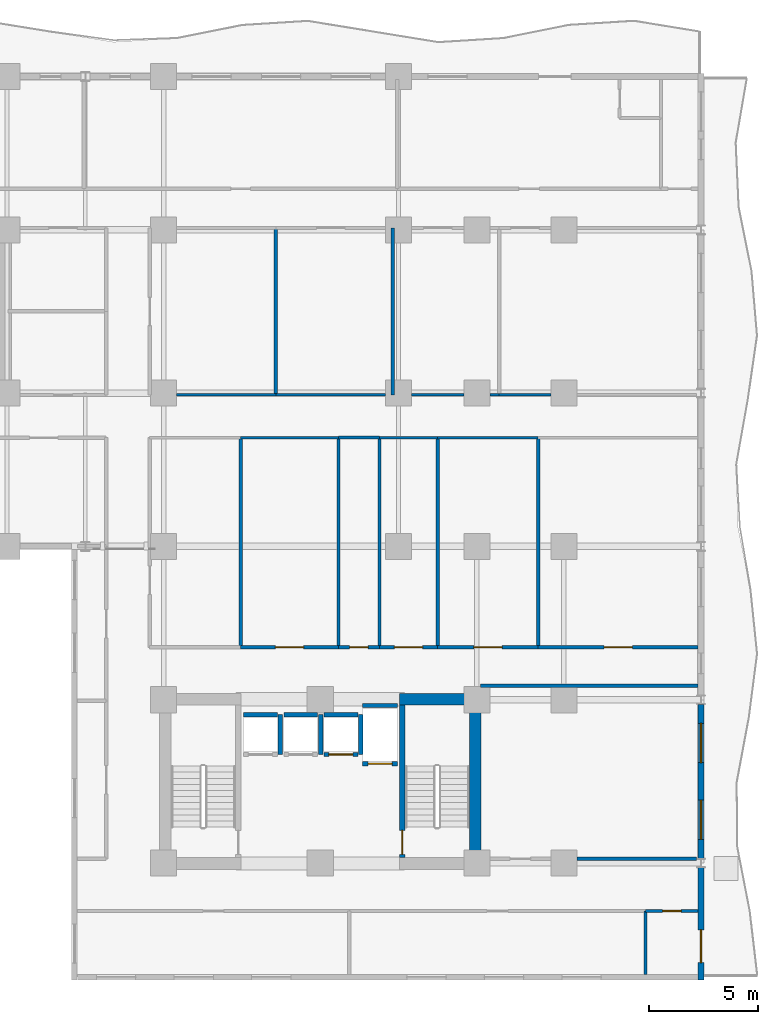
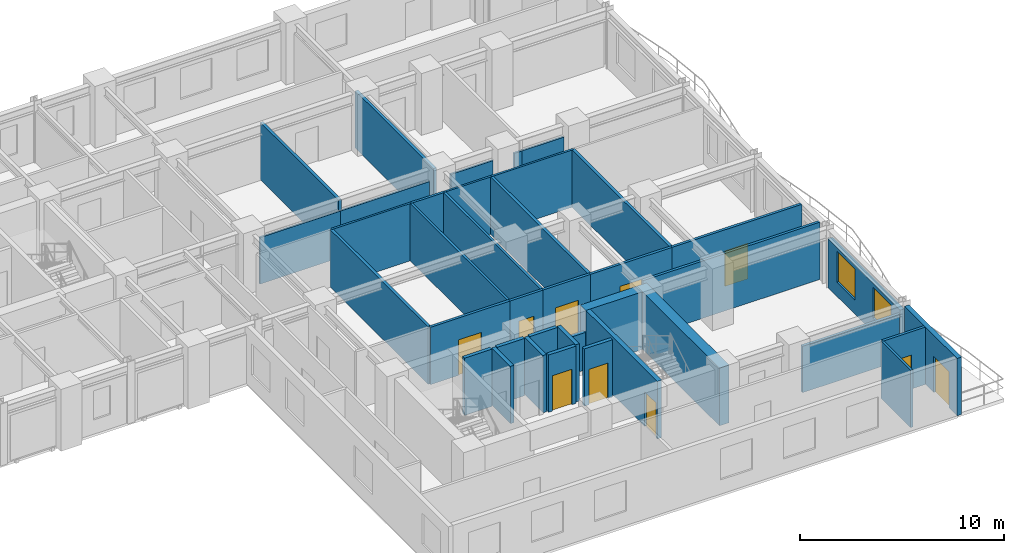
# One storey, part 5 of 11: 39 walls, 10 doors, 2 windows, 12 openings.
"""IFC4 building model written with IfcOpenShell, lengths in metres."""

from ifc_helpers import new_model, si_unit, direction, frame, frame_2d, origin, place, context, subcontext, project, spatial, rectangle, extrude, material, layer, layer_set, type_object, element, fill, save


model = new_model("IFC4")

# Units and contexts
model_context = context("Model", 3, precision=1e-05, world=origin(), true_north=direction((0.0, 1.0)))
body_context = subcontext(model_context, "Body", "Model", "MODEL_VIEW")
ifc_project = project(units=[si_unit("LENGTHUNIT", "METRE"), si_unit("AREAUNIT", "SQUARE_METRE"), si_unit("VOLUMEUNIT", "CUBIC_METRE"), si_unit("PLANEANGLEUNIT", "RADIAN"), si_unit("MASSUNIT", "GRAM", prefix="KILO")], contexts=[model_context])

# Site, building, storey
site_placement = place(None, origin())
site = spatial("IfcSite", under=ifc_project, at=site_placement, CompositionType="ELEMENT")
building_placement = place(site_placement, origin())
building = spatial("IfcBuilding", under=site, at=building_placement, Name="Kaliganga Portal Commons", CompositionType="ELEMENT")
storey_placement = place(building_placement, frame((0.0, 0.0, 89.699951171875)))
storey = spatial("IfcBuildingStorey", under=building, at=storey_placement, Name="L22", CompositionType="ELEMENT", Elevation=89.699951171875)

# Walls
ifc_material_1 = material(Name="Concrete C60/75", Category="concrete")
ifc_layer_1 = layer(ifc_material_1, 0.550048828125)
ifc_layer_set_1 = layer_set([ifc_layer_1], Name="Concrete C60/75")
wall_type_1 = type_object("IfcWallType", Name="WL-CORE-550", PredefinedType="SHEAR", material=ifc_layer_set_1)
wall_1_placement = place(storey_placement, frame((50.324951171875, 6.75, 0.0), z_axis=(0.0, 0.0, 1.0), x_axis=(0.0, 1.0, 0.0)))
element("IfcWall", 1, at=wall_1_placement, inside=storey, type_object=wall_type_1, Name="Core B East Shear Wall L22", PredefinedType="SHEAR", context=body_context, shape_type="SweptSolid", body=[
    extrude(rectangle(XDim=8.10009765625, YDim=0.550048828125, at=frame_2d((4.050048828125, 0.0))), origin(), (0.0, 0.0, 1.0), 3.449951171875),
])
wall_2_placement = place(storey_placement, frame((46.85009765625, 14.574951171875, 0.0), z_axis=(0.0, 0.0, 1.0), x_axis=(1.0, 0.0, 0.0)))
element("IfcWall", 2, at=wall_2_placement, inside=storey, type_object=wall_type_1, Name="Core B N-East Shear Wall L22", PredefinedType="SHEAR", context=body_context, shape_type="SweptSolid", body=[
    extrude(rectangle(XDim=3.199951171875, YDim=0.550048828125, at=frame_2d((1.60009765625, 0.0))), origin(), (0.0, 0.0, 1.0), 3.449951171875),
])

# Wall, opening, door
ifc_material_2 = material(Name="Insulated Aluminium-Clad Spandrel Assembly", Category="aluminium")
ifc_layer_2 = layer(ifc_material_2, 0.260009765625)
ifc_layer_set_2 = layer_set([ifc_layer_2], Name="Insulated Aluminium-Clad Spandrel Assembly")
wall_type_2 = type_object("IfcWallType", Name="WL-EXT-SPAND-260", PredefinedType="STANDARD", material=ifc_layer_set_2)
wall_3_placement = place(storey_placement, frame((60.699951171875, 6.833984375, 0.0), z_axis=(0.0, 0.0, 1.0), x_axis=(0.0, -1.0, 0.0)))
wall_3 = element("IfcWall", 3, at=wall_3_placement, inside=storey, type_object=wall_type_2, Name="Exterior Envelope Wall L22 P1-E01-S1", PredefinedType="STANDARD", context=body_context, shape_type="SweptSolid", body=[
    extrude(rectangle(XDim=5.1640625, YDim=0.260009765625, at=frame_2d((2.58203125, 0.0))), origin(), (0.0, 0.0, 1.0), 3.429931640625),
])
opening_1_placement = place(wall_3_placement, frame((2.864990234375, 0.0, 0.0)))
opening_1 = element("IfcOpeningElement", 4, at=opening_1_placement, cuts=wall_3, Name="Opening BD-01", PredefinedType="OPENING", context=body_context, shape_type="SweptSolid", body=[
    extrude(rectangle(XDim=1.5, YDim=2.14990234375, at=frame_2d((0.75, 1.074951171875))), frame((0.0, 0.14013671875, 0.0), z_axis=(0.0, -1.0, 0.0), x_axis=(1.0, 0.0, 0.0)), (0.0, 0.0, 1.0), 0.280029296875),
])
ifc_material_3 = material(Name="Anodized Aluminium and Laminated Safety Glass", Category="aluminium")
door_type_1 = type_object("IfcDoorType", Name="DR-BALC-1500", OperationType="SLIDING_TO_LEFT", PredefinedType="DOOR", material=ifc_material_3)
door_1_placement = place(opening_1_placement, origin())
door_1 = element("IfcDoor", 5, at=door_1_placement, inside=storey, type_object=door_type_1, Name="Balcony Sliding Door L22 balc_east", OperationType="SLIDING_TO_LEFT", OverallHeight=2.14990234375, OverallWidth=1.5, PredefinedType="DOOR", context=body_context, shape_type="SweptSolid", body=[
    extrude(rectangle(XDim=1.5, YDim=2.14990234375, at=frame_2d((0.75, 1.074951171875))), frame((0.0, 0.02490234375, 0.0), z_axis=(0.0, -1.0, 0.0), x_axis=(1.0, 0.0, 0.0)), (0.0, 0.0, 1.0), 0.050048828125),
])
fill(opening_1, door_1)

# Wall, openings, windows
wall_4_placement = place(storey_placement, frame((60.699951171875, 14.333984375, 0.0), z_axis=(0.0, 0.0, 1.0), x_axis=(0.0, -1.0, 0.0)))
wall_4 = element("IfcWall", 6, at=wall_4_placement, inside=storey, type_object=wall_type_2, Name="Exterior Envelope Wall L22 P1-E01-S2", PredefinedType="STANDARD", context=body_context, shape_type="SweptSolid", body=[
    extrude(rectangle(XDim=7.06787109375, YDim=0.260009765625, at=frame_2d((3.533935546875, 0.0))), origin(), (0.0, 0.0, 1.0), 2.929931640625),
])
opening_2_placement = place(wall_4_placement, frame((0.866943359375, 0.0, 0.85009765625)))
opening_2 = element("IfcOpeningElement", 7, at=opening_2_placement, cuts=wall_4, Name="Opening W-01", PredefinedType="OPENING", context=body_context, shape_type="SweptSolid", body=[
    extrude(rectangle(XDim=1.800048828125, YDim=1.85009765625, at=frame_2d((0.89990234375, 0.925048828125))), frame((0.0, 0.14013671875, 0.0), z_axis=(0.0, -1.0, 0.0), x_axis=(1.0, 0.0, 0.0)), (0.0, 0.0, 1.0), 0.280029296875),
])
opening_3_placement = place(wall_4_placement, frame((4.40087890625, 0.0, 0.85009765625)))
opening_3 = element("IfcOpeningElement", 8, at=opening_3_placement, cuts=wall_4, Name="Opening W-01", PredefinedType="OPENING", context=body_context, shape_type="SweptSolid", body=[
    extrude(rectangle(XDim=1.800048828125, YDim=1.85009765625, at=frame_2d((0.89990234375, 0.925048828125))), frame((0.0, 0.14013671875, 0.0), z_axis=(0.0, -1.0, 0.0), x_axis=(1.0, 0.0, 0.0)), (0.0, 0.0, 1.0), 0.280029296875),
])
ifc_material_4 = material(Name="Thermally Broken Aluminium and Low-E Double Glazing", Category="aluminium")
window_type = type_object("IfcWindowType", Name="WIN-STD-1800", PartitioningType="DOUBLE_PANEL_VERTICAL", PredefinedType="WINDOW", material=ifc_material_4)
window_1_placement = place(opening_2_placement, origin())
window_1 = element("IfcWindow", 9, at=window_1_placement, inside=storey, type_object=window_type, Name="Facade Window L22-P1E01S2-00", OverallHeight=1.85009765625, OverallWidth=1.800048828125, PartitioningType="SINGLE_PANEL", PredefinedType="WINDOW", context=body_context, shape_type="SweptSolid", body=[
    extrude(rectangle(XDim=1.800048828125, YDim=1.85009765625, at=frame_2d((0.89990234375, 0.925048828125))), frame((0.0, 0.030029296875, 0.0), z_axis=(0.0, -1.0, 0.0), x_axis=(1.0, 0.0, 0.0)), (0.0, 0.0, 1.0), 0.06005859375),
])
fill(opening_2, window_1)
window_2_placement = place(opening_3_placement, origin())
window_2 = element("IfcWindow", 10, at=window_2_placement, inside=storey, type_object=window_type, Name="Facade Window L22-P1E01S2-01", OverallHeight=1.85009765625, OverallWidth=1.800048828125, PartitioningType="SINGLE_PANEL", PredefinedType="WINDOW", context=body_context, shape_type="SweptSolid", body=[
    extrude(rectangle(XDim=1.800048828125, YDim=1.85009765625, at=frame_2d((0.89990234375, 0.925048828125))), frame((0.0, 0.030029296875, 0.0), z_axis=(0.0, -1.0, 0.0), x_axis=(1.0, 0.0, 0.0)), (0.0, 0.0, 1.0), 0.06005859375),
])
fill(opening_3, window_2)

# Walls
ifc_material_5 = material(Name="Fire-Rated Gypsum Board on Steel Stud", Category="steel")
ifc_layer_3 = layer(ifc_material_5, 0.14990234375)
ifc_layer_set_3 = layer_set([ifc_layer_3], Name="Fire-Rated Gypsum Board on Steel Stud")
wall_type_3 = type_object("IfcWallType", Name="WL-PART-CORR-150", PredefinedType="PARTITIONING", material=ifc_layer_set_3)
wall_5_placement = place(storey_placement, frame((55.0, 7.239990234375, 0.0), z_axis=(0.0, 0.0, 1.0), x_axis=(1.0, 0.0, 0.0)))
element("IfcWall", 11, at=wall_5_placement, inside=storey, type_object=wall_type_3, Name="Interior Partition L22-009", PredefinedType="PARTITIONING", context=body_context, shape_type="SweptSolid", body=[
    extrude(rectangle(XDim=5.49560546875, YDim=0.14990234375, at=frame_2d((2.747802734375, 0.0))), origin(), (0.0, 0.0, 1.0), 2.780029296875),
])
wall_6_placement = place(storey_placement, frame((50.56005859375, 15.199951171875, 0.0), z_axis=(0.0, 0.0, 1.0), x_axis=(1.0, 0.0, 0.0)))
element("IfcWall", 12, at=wall_6_placement, inside=storey, type_object=wall_type_3, Name="Interior Partition L22-010", PredefinedType="PARTITIONING", context=body_context, shape_type="SweptSolid", body=[
    extrude(rectangle(XDim=10.008056640625, YDim=0.14990234375, at=frame_2d((5.00390625, 0.0))), origin(), (0.0, 0.0, 1.0), 3.429931640625),
])

# Wall, opening, door
wall_7_placement = place(storey_placement, frame((53.219970703125, 16.9599609375, 0.0), z_axis=(0.0, 0.0, 1.0), x_axis=(1.0, 0.0, 0.0)))
wall_7 = element("IfcWall", 13, at=wall_7_placement, inside=storey, type_object=wall_type_3, Name="Interior Partition L22-017", PredefinedType="PARTITIONING", context=body_context, shape_type="SweptSolid", body=[
    extrude(rectangle(XDim=7.34814453125, YDim=0.14990234375, at=frame_2d((3.674072265625, 0.0))), origin(), (0.0, 0.0, 1.0), 3.429931640625),
])
opening_4_placement = place(wall_7_placement, frame((3.02392578125, 0.0, 0.0)))
opening_4 = element("IfcOpeningElement", 14, at=opening_4_placement, cuts=wall_7, Name="Opening RD-03", PredefinedType="OPENING", context=body_context, shape_type="SweptSolid", body=[
    extrude(rectangle(XDim=1.300048828125, YDim=2.1201171875, at=frame_2d((0.64990234375, 1.06005859375))), frame((0.0, 0.0849609375, 0.0), z_axis=(0.0, -1.0, 0.0), x_axis=(1.0, 0.0, 0.0)), (0.0, 0.0, 1.0), 0.169921875),
])
ifc_material_6 = material(Name="Glazed Timber Seminar Vision Door", Category="wood")
door_type_2 = type_object("IfcDoorType", Name="DR-STUDY-1300", OperationType="DOUBLE_DOOR_SINGLE_SWING", PredefinedType="DOOR", material=ifc_material_6)
door_2_placement = place(opening_4_placement, origin())
door_2 = element("IfcDoor", 15, at=door_2_placement, inside=storey, type_object=door_type_2, Name="Interior Door L22-BM05", OperationType="DOUBLE_DOOR_SINGLE_SWING", OverallHeight=2.1201171875, OverallWidth=1.300048828125, PredefinedType="DOOR", context=body_context, shape_type="SweptSolid", body=[
    extrude(rectangle(XDim=1.300048828125, YDim=2.1201171875, at=frame_2d((0.64990234375, 1.06005859375))), frame((0.0, 0.02490234375, 0.0), z_axis=(0.0, -1.0, 0.0), x_axis=(1.0, 0.0, 0.0)), (0.0, 0.0, 1.0), 0.050048828125),
])
fill(opening_4, door_2)

wall_8_placement = place(storey_placement, frame((48.60009765625, 16.9599609375, 0.0), z_axis=(0.0, 0.0, 1.0), x_axis=(1.0, 0.0, 0.0)))
wall_8 = element("IfcWall", 16, at=wall_8_placement, inside=storey, type_object=wall_type_3, Name="Interior Partition L22-028", PredefinedType="PARTITIONING", context=body_context, shape_type="SweptSolid", body=[
    extrude(rectangle(XDim=4.619873046875, YDim=0.14990234375, at=frame_2d((2.31005859375, 0.0))), origin(), (0.0, 0.0, 1.0), 3.429931640625),
])
opening_5_placement = place(wall_8_placement, frame((1.659912109375, 0.0, 0.0)))
opening_5 = element("IfcOpeningElement", 17, at=opening_5_placement, cuts=wall_8, Name="Opening RD-03", PredefinedType="OPENING", context=body_context, shape_type="SweptSolid", body=[
    extrude(rectangle(XDim=1.300048828125, YDim=2.1201171875, at=frame_2d((0.64990234375, 1.06005859375))), frame((0.0, 0.0849609375, 0.0), z_axis=(0.0, -1.0, 0.0), x_axis=(1.0, 0.0, 0.0)), (0.0, 0.0, 1.0), 0.169921875),
])
door_3_placement = place(opening_5_placement, origin())
door_3 = element("IfcDoor", 18, at=door_3_placement, inside=storey, type_object=door_type_2, Name="Interior Door L22-BM04B", OperationType="DOUBLE_DOOR_SINGLE_SWING", OverallHeight=2.1201171875, OverallWidth=1.300048828125, PredefinedType="DOOR", context=body_context, shape_type="SweptSolid", body=[
    extrude(rectangle(XDim=1.300048828125, YDim=2.1201171875, at=frame_2d((0.64990234375, 1.06005859375))), frame((0.0, 0.02490234375, 0.0), z_axis=(0.0, -1.0, 0.0), x_axis=(1.0, 0.0, 0.0)), (0.0, 0.0, 1.0), 0.050048828125),
])
fill(opening_5, door_3)

wall_9_placement = place(storey_placement, frame((39.5400390625, 16.9599609375, 0.0), z_axis=(0.0, 0.0, 1.0), x_axis=(1.0, 0.0, 0.0)))
wall_9 = element("IfcWall", 19, at=wall_9_placement, inside=storey, type_object=wall_type_3, Name="Interior Partition L22-031", PredefinedType="PARTITIONING", context=body_context, shape_type="SweptSolid", body=[
    extrude(rectangle(XDim=4.5, YDim=0.14990234375, at=frame_2d((2.25, 0.0))), origin(), (0.0, 0.0, 1.0), 3.429931640625),
])
opening_6_placement = place(wall_9_placement, frame((1.60009765625, 0.0, 0.0)))
opening_6 = element("IfcOpeningElement", 20, at=opening_6_placement, cuts=wall_9, Name="Opening RD-03", PredefinedType="OPENING", context=body_context, shape_type="SweptSolid", body=[
    extrude(rectangle(XDim=1.300048828125, YDim=2.1201171875, at=frame_2d((0.64990234375, 1.06005859375))), frame((0.0, 0.0849609375, 0.0), z_axis=(0.0, -1.0, 0.0), x_axis=(1.0, 0.0, 0.0)), (0.0, 0.0, 1.0), 0.169921875),
])
door_4_placement = place(opening_6_placement, origin())
door_4 = element("IfcDoor", 21, at=door_4_placement, inside=storey, type_object=door_type_2, Name="Interior Door L22-BM02", OperationType="DOUBLE_DOOR_SINGLE_SWING", OverallHeight=2.1201171875, OverallWidth=1.300048828125, PredefinedType="DOOR", context=body_context, shape_type="SweptSolid", body=[
    extrude(rectangle(XDim=1.300048828125, YDim=2.1201171875, at=frame_2d((0.64990234375, 1.06005859375))), frame((0.0, 0.02490234375, 0.0), z_axis=(0.0, -1.0, 0.0), x_axis=(1.0, 0.0, 0.0)), (0.0, 0.0, 1.0), 0.050048828125),
])
fill(opening_6, door_4)

wall_10_placement = place(storey_placement, frame((45.919921875, 16.9599609375, 0.0), z_axis=(0.0, 0.0, 1.0), x_axis=(1.0, 0.0, 0.0)))
wall_10 = element("IfcWall", 22, at=wall_10_placement, inside=storey, type_object=wall_type_3, Name="Interior Partition L22-037", PredefinedType="PARTITIONING", context=body_context, shape_type="SweptSolid", body=[
    extrude(rectangle(XDim=2.68017578125, YDim=0.14990234375, at=frame_2d((1.340087890625, 0.0))), origin(), (0.0, 0.0, 1.0), 3.429931640625),
])
opening_7_placement = place(wall_10_placement, frame((0.68994140625, 0.0, 0.0)))
opening_7 = element("IfcOpeningElement", 23, at=opening_7_placement, cuts=wall_10, Name="Opening RD-03", PredefinedType="OPENING", context=body_context, shape_type="SweptSolid", body=[
    extrude(rectangle(XDim=1.300048828125, YDim=2.1201171875, at=frame_2d((0.64990234375, 1.06005859375))), frame((0.0, 0.0849609375, 0.0), z_axis=(0.0, -1.0, 0.0), x_axis=(1.0, 0.0, 0.0)), (0.0, 0.0, 1.0), 0.169921875),
])
door_5_placement = place(opening_7_placement, origin())
door_5 = element("IfcDoor", 24, at=door_5_placement, inside=storey, type_object=door_type_2, Name="Interior Door L22-BM04", OperationType="DOUBLE_DOOR_SINGLE_SWING", OverallHeight=2.1201171875, OverallWidth=1.300048828125, PredefinedType="DOOR", context=body_context, shape_type="SweptSolid", body=[
    extrude(rectangle(XDim=1.300048828125, YDim=2.1201171875, at=frame_2d((0.64990234375, 1.06005859375))), frame((0.0, 0.02490234375, 0.0), z_axis=(0.0, -1.0, 0.0), x_axis=(1.0, 0.0, 0.0)), (0.0, 0.0, 1.0), 0.050048828125),
])
fill(opening_7, door_5)

wall_11_placement = place(storey_placement, frame((58.159912109375, 4.840087890625, 0.0), z_axis=(0.0, 0.0, 1.0), x_axis=(1.0, 0.0, 0.0)))
wall_11 = element("IfcWall", 25, at=wall_11_placement, inside=storey, type_object=wall_type_3, Name="Interior Partition L22-041", PredefinedType="PARTITIONING", context=body_context, shape_type="SweptSolid", body=[
    extrude(rectangle(XDim=2.408203125, YDim=0.14990234375, at=frame_2d((1.2041015625, 0.0))), origin(), (0.0, 0.0, 1.0), 3.429931640625),
])
opening_8_placement = place(wall_11_placement, frame((0.779052734375, 0.0, 0.0)))
opening_8 = element("IfcOpeningElement", 26, at=opening_8_placement, cuts=wall_11, Name="Opening WD-01", PredefinedType="OPENING", context=body_context, shape_type="SweptSolid", body=[
    extrude(rectangle(XDim=0.85009765625, YDim=2.0400390625, at=frame_2d((0.425048828125, 1.02001953125))), frame((0.0, 0.0849609375, 0.0), z_axis=(0.0, -1.0, 0.0), x_axis=(1.0, 0.0, 0.0)), (0.0, 0.0, 1.0), 0.169921875),
])
ifc_material_7 = material(Name="Moisture-Resistant Laminate Timber Door", Category="wood")
door_type_3 = type_object("IfcDoorType", Name="DR-WET-850", OperationType="NOTDEFINED", PredefinedType="DOOR", material=ifc_material_7)
door_6_placement = place(opening_8_placement, origin())
door_6 = element("IfcDoor", 27, at=door_6_placement, inside=storey, type_object=door_type_3, Name="Interior Door L22-BS03", OperationType="SINGLE_SWING_RIGHT", OverallHeight=2.0400390625, OverallWidth=0.85009765625, PredefinedType="DOOR", context=body_context, shape_type="SweptSolid", body=[
    extrude(rectangle(XDim=0.85009765625, YDim=2.0400390625, at=frame_2d((0.425048828125, 1.02001953125))), frame((0.0, 0.02490234375, 0.0), z_axis=(0.0, -1.0, 0.0), x_axis=(1.0, 0.0, 0.0)), (0.0, 0.0, 1.0), 0.050048828125),
])
fill(opening_8, door_6)

wall_12_placement = place(storey_placement, frame((44.0400390625, 16.9599609375, 0.0), z_axis=(0.0, 0.0, 1.0), x_axis=(1.0, 0.0, 0.0)))
wall_12 = element("IfcWall", 28, at=wall_12_placement, inside=storey, type_object=wall_type_3, Name="Interior Partition L22-044", PredefinedType="PARTITIONING", context=body_context, shape_type="SweptSolid", body=[
    extrude(rectangle(XDim=1.8798828125, YDim=0.14990234375, at=frame_2d((0.93994140625, 0.0))), origin(), (0.0, 0.0, 1.0), 3.429931640625),
])
opening_9_placement = place(wall_12_placement, frame((0.514892578125, 0.0, 0.0)))
opening_9 = element("IfcOpeningElement", 29, at=opening_9_placement, cuts=wall_12, Name="Opening WD-01", PredefinedType="OPENING", context=body_context, shape_type="SweptSolid", body=[
    extrude(rectangle(XDim=0.85009765625, YDim=2.0400390625, at=frame_2d((0.425048828125, 1.02001953125))), frame((0.0, 0.0849609375, 0.0), z_axis=(0.0, -1.0, 0.0), x_axis=(1.0, 0.0, 0.0)), (0.0, 0.0, 1.0), 0.169921875),
])
door_7_placement = place(opening_9_placement, origin())
door_7 = element("IfcDoor", 30, at=door_7_placement, inside=storey, type_object=door_type_3, Name="Interior Door L22-BM03", OperationType="SINGLE_SWING_LEFT", OverallHeight=2.0400390625, OverallWidth=0.85009765625, PredefinedType="DOOR", context=body_context, shape_type="SweptSolid", body=[
    extrude(rectangle(XDim=0.85009765625, YDim=2.0400390625, at=frame_2d((0.425048828125, 1.02001953125))), frame((0.0, 0.02490234375, 0.0), z_axis=(0.0, -1.0, 0.0), x_axis=(1.0, 0.0, 0.0)), (0.0, 0.0, 1.0), 0.050048828125),
])
fill(opening_9, door_7)

# Walls
ifc_material_8 = material(Name="Moisture-Resistant Gypsum Partition", Category="gypsum")
ifc_layer_4 = layer(ifc_material_8, 0.114990234375)
ifc_layer_set_4 = layer_set([ifc_layer_4], Name="Moisture-Resistant Gypsum Partition")
wall_type_4 = type_object("IfcWallType", Name="WL-PART-ROOM-115", PredefinedType="PARTITIONING", material=ifc_layer_set_4)
wall_13_placement = place(storey_placement, frame((51.419921875, 28.56005859375, 0.0), z_axis=(0.0, 0.0, 1.0), x_axis=(1.0, 0.0, 0.0)))
element("IfcWall", 31, at=wall_13_placement, inside=storey, type_object=wall_type_4, Name="Interior Partition L22-052", PredefinedType="PARTITIONING", context=body_context, shape_type="SweptSolid", body=[
    extrude(rectangle(XDim=2.380126953125, YDim=0.114990234375, at=frame_2d((1.18994140625, 0.0))), origin(), (0.0, 0.0, 1.0), 2.780029296875),
])
wall_14_placement = place(storey_placement, frame((36.60009765625, 28.56005859375, 0.0), z_axis=(0.0, 0.0, 1.0), x_axis=(1.0, 0.0, 0.0)))
element("IfcWall", 32, at=wall_14_placement, inside=storey, type_object=wall_type_4, Name="Interior Partition L22-058", PredefinedType="PARTITIONING", context=body_context, shape_type="SweptSolid", body=[
    extrude(rectangle(XDim=4.559814453125, YDim=0.114990234375, at=frame_2d((2.27978515625, 0.0))), origin(), (0.0, 0.0, 1.0), 2.780029296875),
])
wall_15_placement = place(storey_placement, frame((41.159912109375, 28.56005859375, 0.0), z_axis=(0.0, 0.0, 1.0), x_axis=(1.0, 0.0, 0.0)))
element("IfcWall", 33, at=wall_15_placement, inside=storey, type_object=wall_type_4, Name="Interior Partition L22-059", PredefinedType="PARTITIONING", context=body_context, shape_type="SweptSolid", body=[
    extrude(rectangle(XDim=5.0400390625, YDim=0.114990234375, at=frame_2d((2.52001953125, 0.0))), origin(), (0.0, 0.0, 1.0), 2.780029296875),
])
wall_16_placement = place(storey_placement, frame((47.39990234375, 28.56005859375, 0.0), z_axis=(0.0, 0.0, 1.0), x_axis=(1.0, 0.0, 0.0)))
element("IfcWall", 34, at=wall_16_placement, inside=storey, type_object=wall_type_4, Name="Interior Partition L22-069", PredefinedType="PARTITIONING", context=body_context, shape_type="SweptSolid", body=[
    extrude(rectangle(XDim=2.400146484375, YDim=0.114990234375, at=frame_2d((1.2001953125, 0.0))), origin(), (0.0, 0.0, 1.0), 2.780029296875),
])
wall_17_placement = place(storey_placement, frame((51.0, 28.56005859375, 0.0), z_axis=(0.0, 0.0, 1.0), x_axis=(1.0, 0.0, 0.0)))
element("IfcWall", 35, at=wall_17_placement, inside=storey, type_object=wall_type_4, Name="Interior Partition L22-070", PredefinedType="PARTITIONING", context=body_context, shape_type="SweptSolid", body=[
    extrude(rectangle(XDim=0.419921875, YDim=0.114990234375, at=frame_2d((0.2099609375, 0.0))), origin(), (0.0, 0.0, 1.0), 2.780029296875),
])
wall_18_placement = place(storey_placement, frame((48.60009765625, 26.60009765625, 0.0), z_axis=(0.0, 0.0, 1.0), x_axis=(1.0, 0.0, 0.0)))
element("IfcWall", 36, at=wall_18_placement, inside=storey, type_object=wall_type_4, Name="Interior Partition L22-071", PredefinedType="PARTITIONING", context=body_context, shape_type="SweptSolid", body=[
    extrude(rectangle(XDim=4.619873046875, YDim=0.114990234375, at=frame_2d((2.31005859375, 0.0))), origin(), (0.0, 0.0, 1.0), 3.429931640625),
])
wall_19_placement = place(storey_placement, frame((39.5400390625, 26.60009765625, 0.0), z_axis=(0.0, 0.0, 1.0), x_axis=(1.0, 0.0, 0.0)))
element("IfcWall", 37, at=wall_19_placement, inside=storey, type_object=wall_type_4, Name="Interior Partition L22-074", PredefinedType="PARTITIONING", context=body_context, shape_type="SweptSolid", body=[
    extrude(rectangle(XDim=4.5, YDim=0.114990234375, at=frame_2d((2.25, 0.0))), origin(), (0.0, 0.0, 1.0), 3.429931640625),
])
wall_20_placement = place(storey_placement, frame((45.919921875, 26.60009765625, 0.0), z_axis=(0.0, 0.0, 1.0), x_axis=(1.0, 0.0, 0.0)))
element("IfcWall", 38, at=wall_20_placement, inside=storey, type_object=wall_type_4, Name="Interior Partition L22-080", PredefinedType="PARTITIONING", context=body_context, shape_type="SweptSolid", body=[
    extrude(rectangle(XDim=2.68017578125, YDim=0.114990234375, at=frame_2d((1.340087890625, 0.0))), origin(), (0.0, 0.0, 1.0), 3.429931640625),
])
ifc_material_9 = material(Name="Twin-Stud Acoustic Gypsum Partition", Category="gypsum")
ifc_layer_5 = layer(ifc_material_9, 0.1650390625)
ifc_layer_set_5 = layer_set([ifc_layer_5], Name="Twin-Stud Acoustic Gypsum Partition")
wall_type_5 = type_object("IfcWallType", Name="WL-PART-UNIT-165", PredefinedType="PARTITIONING", material=ifc_layer_set_5)
for number, where, z_axis, x_axis, name in (
    (39, (39.5400390625, 16.9599609375, 0.0), (0.0, 0.0, 1.0), (0.0, 1.0, 0.0), "Interior Partition L22-047"),
    (40, (48.60009765625, 16.9599609375, 0.0), (0.0, 0.0, 1.0), (0.0, 1.0, 0.0), "Interior Partition L22-050"),
    (41, (53.219970703125, 16.9599609375, 0.0), (0.0, 0.0, 1.0), (0.0, 1.0, 0.0), "Interior Partition L22-051"),
):
    element("IfcWall", number, at=place(storey_placement, frame(where, z_axis=z_axis, x_axis=x_axis)), inside=storey, type_object=wall_type_5, Name=name, PredefinedType="PARTITIONING", context=body_context, shape_type="SweptSolid", body=[
        extrude(rectangle(XDim=9.64013671875, YDim=0.1650390625, at=frame_2d((4.820068359375, 0.0))), origin(), (0.0, 0.0, 1.0), 3.429931640625),
    ])
for number, where, z_axis, x_axis, name in (
    (42, (41.159912109375, 28.56005859375, 0.0), (0.0, 0.0, 1.0), (0.0, 1.0, 0.0), "Interior Partition L22-054"),
    (43, (46.5400390625, 28.56005859375, 0.0), (0.0, 0.0, 1.0), (0.0, 1.0, 0.0), "Interior Partition L22-055"),
):
    element("IfcWall", number, at=place(storey_placement, frame(where, z_axis=z_axis, x_axis=x_axis)), inside=storey, type_object=wall_type_5, Name=name, PredefinedType="PARTITIONING", context=body_context, shape_type="SweptSolid", body=[
        extrude(rectangle(XDim=7.679931640625, YDim=0.1650390625, at=frame_2d((3.83984375, 0.0))), origin(), (0.0, 0.0, 1.0), 3.429931640625),
    ])
ifc_material_10 = material(Name="Cement-Board Wet-Room Partition", Category="gypsum")
ifc_layer_6 = layer(ifc_material_10, 0.135009765625)
ifc_layer_set_6 = layer_set([ifc_layer_6], Name="Cement-Board Wet-Room Partition")
wall_type_6 = type_object("IfcWallType", Name="WL-PART-WET-135", PredefinedType="PARTITIONING", material=ifc_layer_set_6)
for number, where, z_axis, x_axis, name in (
    (44, (44.0400390625, 16.9599609375, 0.0), (0.0, 0.0, 1.0), (0.0, 1.0, 0.0), "Interior Partition L22-048"),
    (45, (45.919921875, 16.9599609375, 0.0), (0.0, 0.0, 1.0), (0.0, 1.0, 0.0), "Interior Partition L22-049"),
):
    element("IfcWall", number, at=place(storey_placement, frame(where, z_axis=z_axis, x_axis=x_axis)), inside=storey, type_object=wall_type_6, Name=name, PredefinedType="PARTITIONING", context=body_context, shape_type="SweptSolid", body=[
        extrude(rectangle(XDim=9.64013671875, YDim=0.135009765625, at=frame_2d((4.820068359375, 0.0))), origin(), (0.0, 0.0, 1.0), 3.429931640625),
    ])
wall_21_placement = place(storey_placement, frame((58.159912109375, 1.931884765625, 0.0), z_axis=(0.0, 0.0, 1.0), x_axis=(0.0, 1.0, 0.0)))
element("IfcWall", 46, at=wall_21_placement, inside=storey, type_object=wall_type_6, Name="Interior Partition L22-079", PredefinedType="PARTITIONING", context=body_context, shape_type="SweptSolid", body=[
    extrude(rectangle(XDim=2.908203125, YDim=0.135009765625, at=frame_2d((1.4541015625, 0.0))), origin(), (0.0, 0.0, 1.0), 3.429931640625),
])
wall_22_placement = place(storey_placement, frame((44.0400390625, 26.60009765625, 0.0), z_axis=(0.0, 0.0, 1.0), x_axis=(1.0, 0.0, 0.0)))
element("IfcWall", 47, at=wall_22_placement, inside=storey, type_object=wall_type_6, Name="Interior Partition L22-081", PredefinedType="PARTITIONING", context=body_context, shape_type="SweptSolid", body=[
    extrude(rectangle(XDim=1.8798828125, YDim=0.135009765625, at=frame_2d((0.93994140625, 0.0))), origin(), (0.0, 0.0, 1.0), 3.429931640625),
])
ifc_material_11 = material(Name="Fire-Rated Shaftwall Masonry Assembly", Category="masonry")
ifc_layer_7 = layer(ifc_material_11, 0.199951171875)
ifc_layer_set_7 = layer_set([ifc_layer_7], Name="Fire-Rated Shaftwall Masonry Assembly")
wall_type_7 = type_object("IfcWallType", Name="WL-SHAFT-200", PredefinedType="PARTITIONING", material=ifc_layer_set_7)
wall_23_placement = place(storey_placement, frame((39.675048828125, 13.864990234375, 0.0), z_axis=(0.0, 0.0, 1.0), x_axis=(1.0, 0.0, 0.0)))
element("IfcWall", 48, at=wall_23_placement, inside=storey, type_object=wall_type_7, Name="Lift PL-B1 Hoistway Shaft Wall L22-N", PredefinedType="PARTITIONING", context=body_context, shape_type="SweptSolid", body=[
    extrude(rectangle(XDim=1.550048828125, YDim=0.199951171875, at=frame_2d((0.77490234375, 0.0))), origin(), (0.0, 0.0, 1.0), 3.429931640625),
])
wall_24_placement = place(storey_placement, frame((41.364990234375, 12.034912109375, 0.0), z_axis=(0.0, 0.0, 1.0), x_axis=(0.0, 1.0, 0.0)))
element("IfcWall", 49, at=wall_24_placement, inside=storey, type_object=wall_type_7, Name="Lift PL-B1 Hoistway Shaft Wall L22-E", PredefinedType="PARTITIONING", context=body_context, shape_type="SweptSolid", body=[
    extrude(rectangle(XDim=1.830078125, YDim=0.199951171875, at=frame_2d((0.9150390625, 0.0))), origin(), (0.0, 0.0, 1.0), 3.429931640625),
])
wall_25_placement = place(storey_placement, frame((41.52490234375, 13.864990234375, 0.0), z_axis=(0.0, 0.0, 1.0), x_axis=(1.0, 0.0, 0.0)))
element("IfcWall", 50, at=wall_25_placement, inside=storey, type_object=wall_type_7, Name="Lift PL-B2 Hoistway Shaft Wall L22-N", PredefinedType="PARTITIONING", context=body_context, shape_type="SweptSolid", body=[
    extrude(rectangle(XDim=1.550048828125, YDim=0.199951171875, at=frame_2d((0.77490234375, 0.0))), origin(), (0.0, 0.0, 1.0), 3.429931640625),
])
wall_26_placement = place(storey_placement, frame((43.215087890625, 12.034912109375, 0.0), z_axis=(0.0, 0.0, 1.0), x_axis=(0.0, 1.0, 0.0)))
element("IfcWall", 51, at=wall_26_placement, inside=storey, type_object=wall_type_7, Name="Lift PL-B2 Hoistway Shaft Wall L22-E", PredefinedType="PARTITIONING", context=body_context, shape_type="SweptSolid", body=[
    extrude(rectangle(XDim=1.830078125, YDim=0.199951171875, at=frame_2d((0.9150390625, 0.0))), origin(), (0.0, 0.0, 1.0), 3.429931640625),
])

# Wall, opening, door
wall_27_placement = place(storey_placement, frame((43.375, 12.034912109375, 0.0), z_axis=(0.0, 0.0, 1.0), x_axis=(1.0, 0.0, 0.0)))
wall_27 = element("IfcWall", 52, at=wall_27_placement, inside=storey, type_object=wall_type_7, Name="Lift SH-2 Hoistway Shaft Wall L22-S", PredefinedType="PARTITIONING", context=body_context, shape_type="SweptSolid", body=[
    extrude(rectangle(XDim=1.550048828125, YDim=0.199951171875, at=frame_2d((0.77490234375, 0.0))), origin(), (0.0, 0.0, 1.0), 3.429931640625),
])
opening_10_placement = place(wall_27_placement, frame((0.22509765625, 0.0, 0.0)))
opening_10 = element("IfcOpeningElement", 53, at=opening_10_placement, cuts=wall_27, Name="Opening LD-01", PredefinedType="OPENING", context=body_context, shape_type="SweptSolid", body=[
    extrude(rectangle(XDim=1.10009765625, YDim=2.1201171875, at=frame_2d((0.550048828125, 1.06005859375))), frame((0.0, 0.10986328125, 0.0), z_axis=(0.0, -1.0, 0.0), x_axis=(1.0, 0.0, 0.0)), (0.0, 0.0, 1.0), 0.219970703125),
])
ifc_material_12 = material(Name="Brushed Stainless Steel 316 Lift Landing Door", Category="steel")
door_type_4 = type_object("IfcDoorType", Name="DR-LIFT-1100", OperationType="SLIDING_TO_LEFT", PredefinedType="DOOR", material=ifc_material_12)
door_8_placement = place(opening_10_placement, origin())
door_8 = element("IfcDoor", 54, at=door_8_placement, inside=storey, type_object=door_type_4, Name="Lift SH-2 Sliding Landing Door L22", OperationType="SLIDING_TO_LEFT", OverallHeight=2.1201171875, OverallWidth=1.10009765625, PredefinedType="DOOR", context=body_context, shape_type="SweptSolid", body=[
    extrude(rectangle(XDim=1.10009765625, YDim=2.1201171875, at=frame_2d((0.550048828125, 1.06005859375))), frame((0.0, 0.02490234375, 0.0), z_axis=(0.0, -1.0, 0.0), x_axis=(1.0, 0.0, 0.0)), (0.0, 0.0, 1.0), 0.050048828125),
])
fill(opening_10, door_8)

# Walls
wall_28_placement = place(storey_placement, frame((43.375, 13.864990234375, 0.0), z_axis=(0.0, 0.0, 1.0), x_axis=(1.0, 0.0, 0.0)))
element("IfcWall", 55, at=wall_28_placement, inside=storey, type_object=wall_type_7, Name="Lift SH-2 Hoistway Shaft Wall L22-N", PredefinedType="PARTITIONING", context=body_context, shape_type="SweptSolid", body=[
    extrude(rectangle(XDim=1.550048828125, YDim=0.199951171875, at=frame_2d((0.77490234375, 0.0))), origin(), (0.0, 0.0, 1.0), 3.429931640625),
])
wall_29_placement = place(storey_placement, frame((45.06494140625, 12.034912109375, 0.0), z_axis=(0.0, 0.0, 1.0), x_axis=(0.0, 1.0, 0.0)))
element("IfcWall", 56, at=wall_29_placement, inside=storey, type_object=wall_type_7, Name="Lift SH-2 Hoistway Shaft Wall L22-E", PredefinedType="PARTITIONING", context=body_context, shape_type="SweptSolid", body=[
    extrude(rectangle(XDim=1.830078125, YDim=0.199951171875, at=frame_2d((0.9150390625, 0.0))), origin(), (0.0, 0.0, 1.0), 3.429931640625),
])

# Wall, opening, door
wall_30_placement = place(storey_placement, frame((45.14990234375, 11.610107421875, 0.0), z_axis=(0.0, 0.0, 1.0), x_axis=(1.0, 0.0, 0.0)))
wall_30 = element("IfcWall", 57, at=wall_30_placement, inside=storey, type_object=wall_type_7, Name="Lift SL-B1 Hoistway Shaft Wall L22-S", PredefinedType="PARTITIONING", context=body_context, shape_type="SweptSolid", body=[
    extrude(rectangle(XDim=1.60009765625, YDim=0.199951171875, at=frame_2d((0.800048828125, 0.0))), origin(), (0.0, 0.0, 1.0), 3.429931640625),
])
opening_11_placement = place(wall_30_placement, frame((0.25, 0.0, 0.0)))
opening_11 = element("IfcOpeningElement", 58, at=opening_11_placement, cuts=wall_30, Name="Opening LD-01", PredefinedType="OPENING", context=body_context, shape_type="SweptSolid", body=[
    extrude(rectangle(XDim=1.10009765625, YDim=2.1201171875, at=frame_2d((0.550048828125, 1.06005859375))), frame((0.0, 0.10986328125, 0.0), z_axis=(0.0, -1.0, 0.0), x_axis=(1.0, 0.0, 0.0)), (0.0, 0.0, 1.0), 0.219970703125),
])
door_9_placement = place(opening_11_placement, origin())
door_9 = element("IfcDoor", 59, at=door_9_placement, inside=storey, type_object=door_type_4, Name="Lift SL-B1 Sliding Landing Door L22", OperationType="SLIDING_TO_LEFT", OverallHeight=2.1201171875, OverallWidth=1.10009765625, PredefinedType="DOOR", context=body_context, shape_type="SweptSolid", body=[
    extrude(rectangle(XDim=1.10009765625, YDim=2.1201171875, at=frame_2d((0.550048828125, 1.06005859375))), frame((0.0, 0.02490234375, 0.0), z_axis=(0.0, -1.0, 0.0), x_axis=(1.0, 0.0, 0.0)), (0.0, 0.0, 1.0), 0.050048828125),
])
fill(opening_11, door_9)

# Wall
wall_31_placement = place(storey_placement, frame((45.14990234375, 14.2900390625, 0.0), z_axis=(0.0, 0.0, 1.0), x_axis=(1.0, 0.0, 0.0)))
element("IfcWall", 60, at=wall_31_placement, inside=storey, type_object=wall_type_7, Name="Lift SL-B1 Hoistway Shaft Wall L22-N", PredefinedType="PARTITIONING", context=body_context, shape_type="SweptSolid", body=[
    extrude(rectangle(XDim=1.60009765625, YDim=0.199951171875, at=frame_2d((0.800048828125, 0.0))), origin(), (0.0, 0.0, 1.0), 2.22998046875),
])

# Wall, opening, door
ifc_material_13 = material(Name="Concrete C50/60", Category="concrete")
ifc_layer_8 = layer(ifc_material_13, 0.25)
ifc_layer_set_8 = layer_set([ifc_layer_8], Name="Concrete C50/60")
wall_type_8 = type_object("IfcWallType", Name="WL-STAIR-250", PredefinedType="SHEAR", material=ifc_layer_set_8)
wall_32_placement = place(storey_placement, frame((46.97509765625, 7.300048828125, 0.0), z_axis=(0.0, 0.0, 1.0), x_axis=(0.0, 1.0, 0.0)))
wall_32 = element("IfcWall", 61, at=wall_32_placement, inside=storey, type_object=wall_type_8, Name="Stair B2 Enclosure Shear Wall L22", PredefinedType="SHEAR", context=body_context, shape_type="SweptSolid", body=[
    extrude(rectangle(XDim=7.0, YDim=0.25, at=frame_2d((3.5, 0.0))), origin(), (0.0, 0.0, 1.0), 3.449951171875),
])
opening_12_placement = place(wall_32_placement, frame((0.14990234375, 0.0, 0.0)))
opening_12 = element("IfcOpeningElement", 62, at=opening_12_placement, cuts=wall_32, Name="Opening SD-01", PredefinedType="OPENING", context=body_context, shape_type="SweptSolid", body=[
    extrude(rectangle(XDim=1.10009765625, YDim=2.080078125, at=frame_2d((0.550048828125, 1.0400390625))), frame((0.0, 0.135009765625, 0.0), z_axis=(0.0, -1.0, 0.0), x_axis=(1.0, 0.0, 0.0)), (0.0, 0.0, 1.0), 0.27001953125),
])
ifc_material_14 = material(Name="Galvanized Steel Fire Door Leaf and Frame", Category="steel")
door_type_5 = type_object("IfcDoorType", Name="DR-STAIR-1100", OperationType="NOTDEFINED", PredefinedType="DOOR", material=ifc_material_14)
door_10_placement = place(opening_12_placement, origin())
door_10 = element("IfcDoor", 63, at=door_10_placement, inside=storey, type_object=door_type_5, Name="Protected Stair ST-B2 Fire Door L22", OperationType="SINGLE_SWING_LEFT", OverallHeight=2.080078125, OverallWidth=1.10009765625, PredefinedType="DOOR", context=body_context, shape_type="SweptSolid", body=[
    extrude(rectangle(XDim=1.10009765625, YDim=2.080078125, at=frame_2d((0.550048828125, 1.0400390625))), frame((0.0, 0.02490234375, 0.0), z_axis=(0.0, -1.0, 0.0), x_axis=(1.0, 0.0, 0.0)), (0.0, 0.0, 1.0), 0.050048828125),
])
fill(opening_12, door_10)

save(model, "model.ifc")
